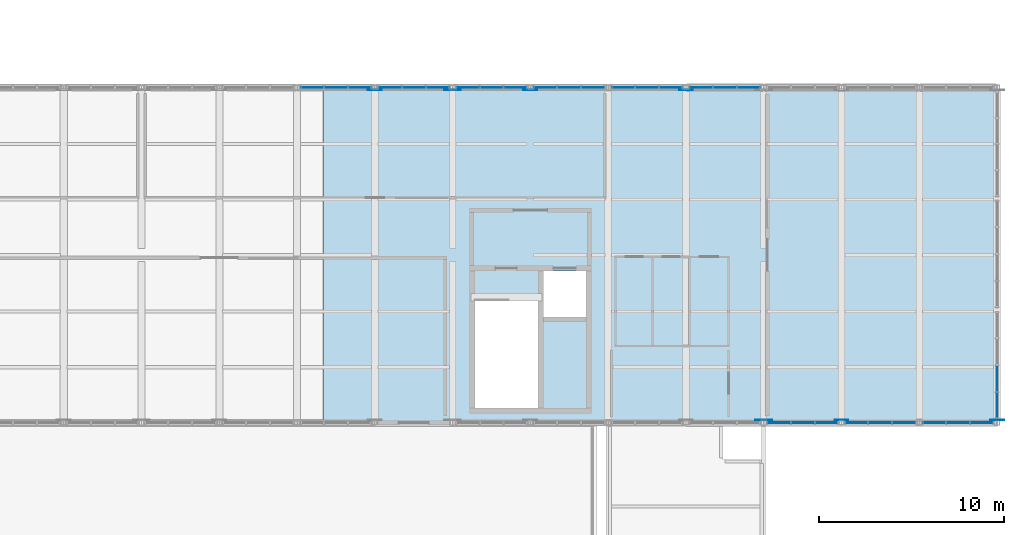
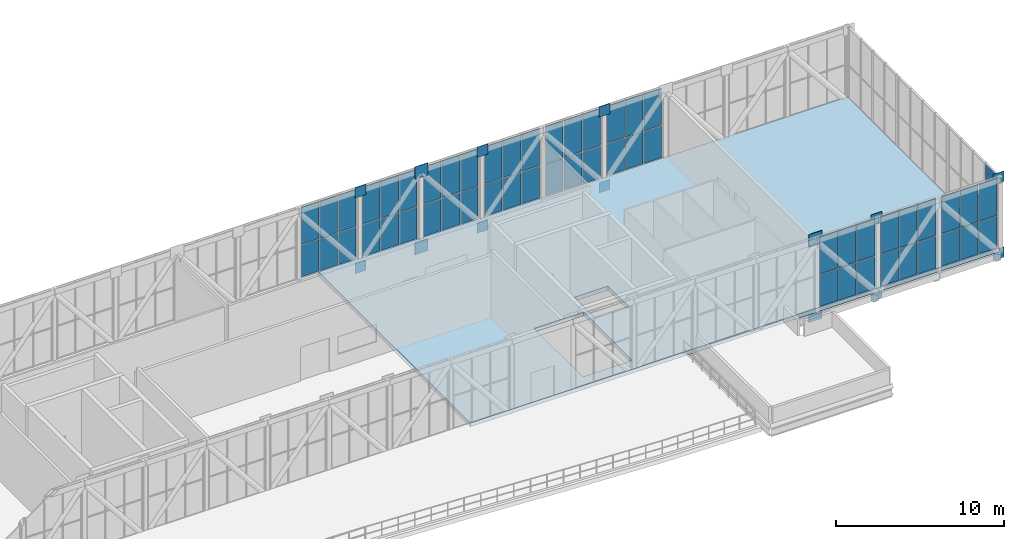
# One storey, part 50 of 58: 71 plates, 1 slab, 10 elements without a shape of their own.
"""IFC4 building model written with IfcOpenShell, lengths in metres."""

from ifc_helpers import new_model, si_unit, direction, frame, origin, origin_2d, place, context, subcontext, project, spatial, polyline, rectangle, outline, extrude, material, layer, layer_set, type_object, element, aggregate, save


model = new_model("IFC4")

# Units and contexts
model_context = context("Model", 3, precision=1e-05, world=origin(), true_north=direction((0.0, 1.0)))
body_context = subcontext(model_context, "Body", "Model", "MODEL_VIEW")
ifc_project = project(units=[si_unit("LENGTHUNIT", "METRE"), si_unit("AREAUNIT", "SQUARE_METRE"), si_unit("VOLUMEUNIT", "CUBIC_METRE"), si_unit("PLANEANGLEUNIT", "RADIAN"), si_unit("MASSUNIT", "GRAM", prefix="KILO")], contexts=[model_context])

# Site, building, storey
site_placement = place(None, origin())
site = spatial("IfcSite", under=ifc_project, at=site_placement, CompositionType="ELEMENT")
building_placement = place(site_placement, origin())
building = spatial("IfcBuilding", under=site, at=building_placement, Name="Khurvash Pelagic Aquarium", CompositionType="ELEMENT")
storey_placement = place(building_placement, frame((0.0, 0.0, 24.60009765625)))
storey = spatial("IfcBuildingStorey", under=building, at=storey_placement, Name="L05", CompositionType="ELEMENT", Elevation=24.60009765625)

# Curtain wall, plates
ifc_material_1 = material(Name="Anodised aluminium and low-E laminated glass", Category="aluminium")
curtain_wall_type_1 = type_object("IfcCurtainWallType", Name="CW-01", PredefinedType="USERDEFINED", material=ifc_material_1)
curtain_wall_1_placement = place(storey_placement, origin())
curtain_wall_1 = element("IfcCurtainWall", 1, at=curtain_wall_1_placement, inside=storey, type_object=curtain_wall_type_1, Name="L05 South Sky-Bar Unitised Curtain Wall CW-01 P24", ObjectType="UNITISED CURTAIN WALL", PredefinedType="USERDEFINED")
ifc_material_2 = material(Name="Low-E laminated double glazing", Category="glass")
ifc_layer_1 = layer(ifc_material_2, 0.035888671875)
ifc_layer_set_1 = layer_set([ifc_layer_1], Name="Low-E laminated double glazing")
plate_type_1 = type_object("IfcPlateType", Name="CG-01", PredefinedType="CURTAIN_PANEL", material=ifc_layer_set_1)
plate_1_placement = place(storey_placement, frame((110.021728515625, 11.64990234375, 0.059814453125), z_axis=(0.0, 0.0, 1.0), x_axis=(1.0, 0.0, 0.0)))
plate_1 = element("IfcPlate", 2, at=plate_1_placement, type_object=plate_type_1, Name="CW-01 panel 1.1", PredefinedType="CURTAIN_PANEL", context=body_context, shape_type="SweptSolid", body=[
    extrude(rectangle(XDim=1.203369140625, YDim=0.035888671875, at=origin_2d()), origin(), (0.0, 0.0, 1.0), 2.31005859375),
])
plate_2_placement = place(storey_placement, frame((110.021728515625, 11.64990234375, 2.429931640625), z_axis=(0.0, 0.0, 1.0), x_axis=(1.0, 0.0, 0.0)))
plate_2 = element("IfcPlate", 3, at=plate_2_placement, type_object=plate_type_1, Name="CW-01 panel 1.2", PredefinedType="CURTAIN_PANEL", context=body_context, shape_type="SweptSolid", body=[
    extrude(rectangle(XDim=1.203369140625, YDim=0.035888671875, at=origin_2d()), origin(), (0.0, 0.0, 1.0), 2.68994140625),
])
plate_3_placement = place(storey_placement, frame((111.300048828125, 11.64990234375, 0.059814453125), z_axis=(0.0, 0.0, 1.0), x_axis=(1.0, 0.0, 0.0)))
plate_3 = element("IfcPlate", 4, at=plate_3_placement, type_object=plate_type_1, Name="CW-01 panel 2.1", PredefinedType="CURTAIN_PANEL", context=body_context, shape_type="SweptSolid", body=[
    extrude(rectangle(XDim=1.2333984375, YDim=0.035888671875, at=origin_2d()), origin(), (0.0, 0.0, 1.0), 2.31005859375),
])
plate_4_placement = place(storey_placement, frame((111.300048828125, 11.64990234375, 2.429931640625), z_axis=(0.0, 0.0, 1.0), x_axis=(1.0, 0.0, 0.0)))
plate_4 = element("IfcPlate", 5, at=plate_4_placement, type_object=plate_type_1, Name="CW-01 panel 2.2", PredefinedType="CURTAIN_PANEL", context=body_context, shape_type="SweptSolid", body=[
    extrude(rectangle(XDim=1.2333984375, YDim=0.035888671875, at=origin_2d()), origin(), (0.0, 0.0, 1.0), 2.68994140625),
])
plate_5_placement = place(storey_placement, frame((112.578369140625, 11.64990234375, 0.059814453125), z_axis=(0.0, 0.0, 1.0), x_axis=(1.0, 0.0, 0.0)))
plate_5 = element("IfcPlate", 6, at=plate_5_placement, type_object=plate_type_1, Name="CW-01 panel 3.1", PredefinedType="CURTAIN_PANEL", context=body_context, shape_type="SweptSolid", body=[
    extrude(rectangle(XDim=1.203369140625, YDim=0.035888671875, at=origin_2d()), origin(), (0.0, 0.0, 1.0), 2.31005859375),
])
plate_6_placement = place(storey_placement, frame((112.578369140625, 11.64990234375, 2.429931640625), z_axis=(0.0, 0.0, 1.0), x_axis=(1.0, 0.0, 0.0)))
plate_6 = element("IfcPlate", 7, at=plate_6_placement, type_object=plate_type_1, Name="CW-01 panel 3.2", PredefinedType="CURTAIN_PANEL", context=body_context, shape_type="SweptSolid", body=[
    extrude(rectangle(XDim=1.203369140625, YDim=0.035888671875, at=origin_2d()), origin(), (0.0, 0.0, 1.0), 2.68994140625),
])
aggregate(curtain_wall_1, [plate_1, plate_2, plate_3, plate_4, plate_5, plate_6])

curtain_wall_2_placement = place(storey_placement, origin())
curtain_wall_2 = element("IfcCurtainWall", 8, at=curtain_wall_2_placement, inside=storey, type_object=curtain_wall_type_1, Name="L05 South Sky-Bar Unitised Curtain Wall CW-01 P25", ObjectType="UNITISED CURTAIN WALL", PredefinedType="USERDEFINED")
plate_7_placement = place(storey_placement, frame((114.2216796875, 11.64990234375, 0.059814453125), z_axis=(0.0, 0.0, 1.0), x_axis=(1.0, 0.0, 0.0)))
plate_7 = element("IfcPlate", 9, at=plate_7_placement, type_object=plate_type_1, Name="CW-01 panel 1.1", PredefinedType="CURTAIN_PANEL", context=body_context, shape_type="SweptSolid", body=[
    extrude(rectangle(XDim=1.203369140625, YDim=0.035888671875, at=origin_2d()), origin(), (0.0, 0.0, 1.0), 2.31005859375),
])
plate_8_placement = place(storey_placement, frame((114.2216796875, 11.64990234375, 2.429931640625), z_axis=(0.0, 0.0, 1.0), x_axis=(1.0, 0.0, 0.0)))
plate_8 = element("IfcPlate", 10, at=plate_8_placement, type_object=plate_type_1, Name="CW-01 panel 1.2", PredefinedType="CURTAIN_PANEL", context=body_context, shape_type="SweptSolid", body=[
    extrude(rectangle(XDim=1.203369140625, YDim=0.035888671875, at=origin_2d()), origin(), (0.0, 0.0, 1.0), 2.68994140625),
])
plate_9_placement = place(storey_placement, frame((115.5, 11.64990234375, 0.059814453125), z_axis=(0.0, 0.0, 1.0), x_axis=(1.0, 0.0, 0.0)))
plate_9 = element("IfcPlate", 11, at=plate_9_placement, type_object=plate_type_1, Name="CW-01 panel 2.1", PredefinedType="CURTAIN_PANEL", context=body_context, shape_type="SweptSolid", body=[
    extrude(rectangle(XDim=1.2333984375, YDim=0.035888671875, at=origin_2d()), origin(), (0.0, 0.0, 1.0), 2.31005859375),
])
plate_10_placement = place(storey_placement, frame((115.5, 11.64990234375, 2.429931640625), z_axis=(0.0, 0.0, 1.0), x_axis=(1.0, 0.0, 0.0)))
plate_10 = element("IfcPlate", 12, at=plate_10_placement, type_object=plate_type_1, Name="CW-01 panel 2.2", PredefinedType="CURTAIN_PANEL", context=body_context, shape_type="SweptSolid", body=[
    extrude(rectangle(XDim=1.2333984375, YDim=0.035888671875, at=origin_2d()), origin(), (0.0, 0.0, 1.0), 2.68994140625),
])
plate_11_placement = place(storey_placement, frame((116.7783203125, 11.64990234375, 0.059814453125), z_axis=(0.0, 0.0, 1.0), x_axis=(1.0, 0.0, 0.0)))
plate_11 = element("IfcPlate", 13, at=plate_11_placement, type_object=plate_type_1, Name="CW-01 panel 3.1", PredefinedType="CURTAIN_PANEL", context=body_context, shape_type="SweptSolid", body=[
    extrude(rectangle(XDim=1.203369140625, YDim=0.035888671875, at=origin_2d()), origin(), (0.0, 0.0, 1.0), 2.31005859375),
])
plate_12_placement = place(storey_placement, frame((116.7783203125, 11.64990234375, 2.429931640625), z_axis=(0.0, 0.0, 1.0), x_axis=(1.0, 0.0, 0.0)))
plate_12 = element("IfcPlate", 14, at=plate_12_placement, type_object=plate_type_1, Name="CW-01 panel 3.2", PredefinedType="CURTAIN_PANEL", context=body_context, shape_type="SweptSolid", body=[
    extrude(rectangle(XDim=1.203369140625, YDim=0.035888671875, at=origin_2d()), origin(), (0.0, 0.0, 1.0), 2.68994140625),
])
aggregate(curtain_wall_2, [plate_7, plate_8, plate_9, plate_10, plate_11, plate_12])

curtain_wall_3_placement = place(storey_placement, origin())
curtain_wall_3 = element("IfcCurtainWall", 15, at=curtain_wall_3_placement, inside=storey, type_object=curtain_wall_type_1, Name="L05 South Sky-Bar Unitised Curtain Wall CW-01 P26", ObjectType="UNITISED CURTAIN WALL", PredefinedType="USERDEFINED")
plate_13_placement = place(storey_placement, frame((118.421630859375, 11.64990234375, 0.059814453125), z_axis=(0.0, 0.0, 1.0), x_axis=(1.0, 0.0, 0.0)))
plate_13 = element("IfcPlate", 16, at=plate_13_placement, type_object=plate_type_1, Name="CW-01 panel 1.1", PredefinedType="CURTAIN_PANEL", context=body_context, shape_type="SweptSolid", body=[
    extrude(rectangle(XDim=1.203369140625, YDim=0.035888671875, at=origin_2d()), origin(), (0.0, 0.0, 1.0), 2.31005859375),
])
plate_14_placement = place(storey_placement, frame((118.421630859375, 11.64990234375, 2.429931640625), z_axis=(0.0, 0.0, 1.0), x_axis=(1.0, 0.0, 0.0)))
plate_14 = element("IfcPlate", 17, at=plate_14_placement, type_object=plate_type_1, Name="CW-01 panel 1.2", PredefinedType="CURTAIN_PANEL", context=body_context, shape_type="SweptSolid", body=[
    extrude(rectangle(XDim=1.203369140625, YDim=0.035888671875, at=origin_2d()), origin(), (0.0, 0.0, 1.0), 2.68994140625),
])
plate_15_placement = place(storey_placement, frame((119.699951171875, 11.64990234375, 0.059814453125), z_axis=(0.0, 0.0, 1.0), x_axis=(1.0, 0.0, 0.0)))
plate_15 = element("IfcPlate", 18, at=plate_15_placement, type_object=plate_type_1, Name="CW-01 panel 2.1", PredefinedType="CURTAIN_PANEL", context=body_context, shape_type="SweptSolid", body=[
    extrude(rectangle(XDim=1.2333984375, YDim=0.035888671875, at=origin_2d()), origin(), (0.0, 0.0, 1.0), 2.31005859375),
])
plate_16_placement = place(storey_placement, frame((119.699951171875, 11.64990234375, 2.429931640625), z_axis=(0.0, 0.0, 1.0), x_axis=(1.0, 0.0, 0.0)))
plate_16 = element("IfcPlate", 19, at=plate_16_placement, type_object=plate_type_1, Name="CW-01 panel 2.2", PredefinedType="CURTAIN_PANEL", context=body_context, shape_type="SweptSolid", body=[
    extrude(rectangle(XDim=1.2333984375, YDim=0.035888671875, at=origin_2d()), origin(), (0.0, 0.0, 1.0), 2.68994140625),
])
plate_17_placement = place(storey_placement, frame((120.978271484375, 11.64990234375, 0.059814453125), z_axis=(0.0, 0.0, 1.0), x_axis=(1.0, 0.0, 0.0)))
plate_17 = element("IfcPlate", 20, at=plate_17_placement, type_object=plate_type_1, Name="CW-01 panel 3.1", PredefinedType="CURTAIN_PANEL", context=body_context, shape_type="SweptSolid", body=[
    extrude(rectangle(XDim=1.203369140625, YDim=0.035888671875, at=origin_2d()), origin(), (0.0, 0.0, 1.0), 2.31005859375),
])
plate_18_placement = place(storey_placement, frame((120.978271484375, 11.64990234375, 2.429931640625), z_axis=(0.0, 0.0, 1.0), x_axis=(1.0, 0.0, 0.0)))
plate_18 = element("IfcPlate", 21, at=plate_18_placement, type_object=plate_type_1, Name="CW-01 panel 3.2", PredefinedType="CURTAIN_PANEL", context=body_context, shape_type="SweptSolid", body=[
    extrude(rectangle(XDim=1.203369140625, YDim=0.035888671875, at=origin_2d()), origin(), (0.0, 0.0, 1.0), 2.68994140625),
])
aggregate(curtain_wall_3, [plate_13, plate_14, plate_15, plate_16, plate_17, plate_18])

curtain_wall_4_placement = place(storey_placement, origin())
curtain_wall_4 = element("IfcCurtainWall", 22, at=curtain_wall_4_placement, inside=storey, type_object=curtain_wall_type_1, Name="L05 North Sky-Bar Unitised Curtain Wall CW-01 P18", ObjectType="UNITISED CURTAIN WALL", PredefinedType="USERDEFINED")
plate_19_placement = place(storey_placement, frame((84.82177734375, 29.75, 0.059814453125), z_axis=(0.0, 0.0, 1.0), x_axis=(1.0, 0.0, 0.0)))
plate_19 = element("IfcPlate", 23, at=plate_19_placement, type_object=plate_type_1, Name="CW-01 panel 1.1", PredefinedType="CURTAIN_PANEL", context=body_context, shape_type="SweptSolid", body=[
    extrude(rectangle(XDim=1.203369140625, YDim=0.035888671875, at=origin_2d()), origin(), (0.0, 0.0, 1.0), 2.31005859375),
])
plate_20_placement = place(storey_placement, frame((84.82177734375, 29.75, 2.429931640625), z_axis=(0.0, 0.0, 1.0), x_axis=(1.0, 0.0, 0.0)))
plate_20 = element("IfcPlate", 24, at=plate_20_placement, type_object=plate_type_1, Name="CW-01 panel 1.2", PredefinedType="CURTAIN_PANEL", context=body_context, shape_type="SweptSolid", body=[
    extrude(rectangle(XDim=1.203369140625, YDim=0.035888671875, at=origin_2d()), origin(), (0.0, 0.0, 1.0), 2.68994140625),
])
plate_21_placement = place(storey_placement, frame((86.10009765625, 29.75, 0.059814453125), z_axis=(0.0, 0.0, 1.0), x_axis=(1.0, 0.0, 0.0)))
plate_21 = element("IfcPlate", 25, at=plate_21_placement, type_object=plate_type_1, Name="CW-01 panel 2.1", PredefinedType="CURTAIN_PANEL", context=body_context, shape_type="SweptSolid", body=[
    extrude(rectangle(XDim=1.2333984375, YDim=0.035888671875, at=origin_2d()), origin(), (0.0, 0.0, 1.0), 2.31005859375),
])
plate_22_placement = place(storey_placement, frame((86.10009765625, 29.75, 2.429931640625), z_axis=(0.0, 0.0, 1.0), x_axis=(1.0, 0.0, 0.0)))
plate_22 = element("IfcPlate", 26, at=plate_22_placement, type_object=plate_type_1, Name="CW-01 panel 2.2", PredefinedType="CURTAIN_PANEL", context=body_context, shape_type="SweptSolid", body=[
    extrude(rectangle(XDim=1.2333984375, YDim=0.035888671875, at=origin_2d()), origin(), (0.0, 0.0, 1.0), 2.68994140625),
])
plate_23_placement = place(storey_placement, frame((87.37841796875, 29.75, 0.059814453125), z_axis=(0.0, 0.0, 1.0), x_axis=(1.0, 0.0, 0.0)))
plate_23 = element("IfcPlate", 27, at=plate_23_placement, type_object=plate_type_1, Name="CW-01 panel 3.1", PredefinedType="CURTAIN_PANEL", context=body_context, shape_type="SweptSolid", body=[
    extrude(rectangle(XDim=1.203369140625, YDim=0.035888671875, at=origin_2d()), origin(), (0.0, 0.0, 1.0), 2.31005859375),
])
plate_24_placement = place(storey_placement, frame((87.37841796875, 29.75, 2.429931640625), z_axis=(0.0, 0.0, 1.0), x_axis=(1.0, 0.0, 0.0)))
plate_24 = element("IfcPlate", 28, at=plate_24_placement, type_object=plate_type_1, Name="CW-01 panel 3.2", PredefinedType="CURTAIN_PANEL", context=body_context, shape_type="SweptSolid", body=[
    extrude(rectangle(XDim=1.203369140625, YDim=0.035888671875, at=origin_2d()), origin(), (0.0, 0.0, 1.0), 2.68994140625),
])
aggregate(curtain_wall_4, [plate_19, plate_20, plate_21, plate_22, plate_23, plate_24])

curtain_wall_5_placement = place(storey_placement, origin())
curtain_wall_5 = element("IfcCurtainWall", 29, at=curtain_wall_5_placement, inside=storey, type_object=curtain_wall_type_1, Name="L05 North Sky-Bar Unitised Curtain Wall CW-01 P19", ObjectType="UNITISED CURTAIN WALL", PredefinedType="USERDEFINED")
plate_25_placement = place(storey_placement, frame((89.021728515625, 29.75, 0.059814453125), z_axis=(0.0, 0.0, 1.0), x_axis=(1.0, 0.0, 0.0)))
plate_25 = element("IfcPlate", 30, at=plate_25_placement, type_object=plate_type_1, Name="CW-01 panel 1.1", PredefinedType="CURTAIN_PANEL", context=body_context, shape_type="SweptSolid", body=[
    extrude(rectangle(XDim=1.203369140625, YDim=0.035888671875, at=origin_2d()), origin(), (0.0, 0.0, 1.0), 2.31005859375),
])
plate_26_placement = place(storey_placement, frame((89.021728515625, 29.75, 2.429931640625), z_axis=(0.0, 0.0, 1.0), x_axis=(1.0, 0.0, 0.0)))
plate_26 = element("IfcPlate", 31, at=plate_26_placement, type_object=plate_type_1, Name="CW-01 panel 1.2", PredefinedType="CURTAIN_PANEL", context=body_context, shape_type="SweptSolid", body=[
    extrude(rectangle(XDim=1.203369140625, YDim=0.035888671875, at=origin_2d()), origin(), (0.0, 0.0, 1.0), 2.68994140625),
])
plate_27_placement = place(storey_placement, frame((90.300048828125, 29.75, 0.059814453125), z_axis=(0.0, 0.0, 1.0), x_axis=(1.0, 0.0, 0.0)))
plate_27 = element("IfcPlate", 32, at=plate_27_placement, type_object=plate_type_1, Name="CW-01 panel 2.1", PredefinedType="CURTAIN_PANEL", context=body_context, shape_type="SweptSolid", body=[
    extrude(rectangle(XDim=1.2333984375, YDim=0.035888671875, at=origin_2d()), origin(), (0.0, 0.0, 1.0), 2.31005859375),
])
plate_28_placement = place(storey_placement, frame((90.300048828125, 29.75, 2.429931640625), z_axis=(0.0, 0.0, 1.0), x_axis=(1.0, 0.0, 0.0)))
plate_28 = element("IfcPlate", 33, at=plate_28_placement, type_object=plate_type_1, Name="CW-01 panel 2.2", PredefinedType="CURTAIN_PANEL", context=body_context, shape_type="SweptSolid", body=[
    extrude(rectangle(XDim=1.2333984375, YDim=0.035888671875, at=origin_2d()), origin(), (0.0, 0.0, 1.0), 2.68994140625),
])
plate_29_placement = place(storey_placement, frame((91.578369140625, 29.75, 0.059814453125), z_axis=(0.0, 0.0, 1.0), x_axis=(1.0, 0.0, 0.0)))
plate_29 = element("IfcPlate", 34, at=plate_29_placement, type_object=plate_type_1, Name="CW-01 panel 3.1", PredefinedType="CURTAIN_PANEL", context=body_context, shape_type="SweptSolid", body=[
    extrude(rectangle(XDim=1.203369140625, YDim=0.035888671875, at=origin_2d()), origin(), (0.0, 0.0, 1.0), 2.31005859375),
])
plate_30_placement = place(storey_placement, frame((91.578369140625, 29.75, 2.429931640625), z_axis=(0.0, 0.0, 1.0), x_axis=(1.0, 0.0, 0.0)))
plate_30 = element("IfcPlate", 35, at=plate_30_placement, type_object=plate_type_1, Name="CW-01 panel 3.2", PredefinedType="CURTAIN_PANEL", context=body_context, shape_type="SweptSolid", body=[
    extrude(rectangle(XDim=1.203369140625, YDim=0.035888671875, at=origin_2d()), origin(), (0.0, 0.0, 1.0), 2.68994140625),
])
aggregate(curtain_wall_5, [plate_25, plate_26, plate_27, plate_28, plate_29, plate_30])

curtain_wall_6_placement = place(storey_placement, origin())
curtain_wall_6 = element("IfcCurtainWall", 36, at=curtain_wall_6_placement, inside=storey, type_object=curtain_wall_type_1, Name="L05 North Sky-Bar Unitised Curtain Wall CW-01 P20", ObjectType="UNITISED CURTAIN WALL", PredefinedType="USERDEFINED")
plate_31_placement = place(storey_placement, frame((93.2216796875, 29.75, 0.059814453125), z_axis=(0.0, 0.0, 1.0), x_axis=(1.0, 0.0, 0.0)))
plate_31 = element("IfcPlate", 37, at=plate_31_placement, type_object=plate_type_1, Name="CW-01 panel 1.1", PredefinedType="CURTAIN_PANEL", context=body_context, shape_type="SweptSolid", body=[
    extrude(rectangle(XDim=1.203369140625, YDim=0.035888671875, at=origin_2d()), origin(), (0.0, 0.0, 1.0), 2.31005859375),
])
plate_32_placement = place(storey_placement, frame((93.2216796875, 29.75, 2.429931640625), z_axis=(0.0, 0.0, 1.0), x_axis=(1.0, 0.0, 0.0)))
plate_32 = element("IfcPlate", 38, at=plate_32_placement, type_object=plate_type_1, Name="CW-01 panel 1.2", PredefinedType="CURTAIN_PANEL", context=body_context, shape_type="SweptSolid", body=[
    extrude(rectangle(XDim=1.203369140625, YDim=0.035888671875, at=origin_2d()), origin(), (0.0, 0.0, 1.0), 2.68994140625),
])
plate_33_placement = place(storey_placement, frame((94.5, 29.75, 0.059814453125), z_axis=(0.0, 0.0, 1.0), x_axis=(1.0, 0.0, 0.0)))
plate_33 = element("IfcPlate", 39, at=plate_33_placement, type_object=plate_type_1, Name="CW-01 panel 2.1", PredefinedType="CURTAIN_PANEL", context=body_context, shape_type="SweptSolid", body=[
    extrude(rectangle(XDim=1.2333984375, YDim=0.035888671875, at=origin_2d()), origin(), (0.0, 0.0, 1.0), 2.31005859375),
])
plate_34_placement = place(storey_placement, frame((94.5, 29.75, 2.429931640625), z_axis=(0.0, 0.0, 1.0), x_axis=(1.0, 0.0, 0.0)))
plate_34 = element("IfcPlate", 40, at=plate_34_placement, type_object=plate_type_1, Name="CW-01 panel 2.2", PredefinedType="CURTAIN_PANEL", context=body_context, shape_type="SweptSolid", body=[
    extrude(rectangle(XDim=1.2333984375, YDim=0.035888671875, at=origin_2d()), origin(), (0.0, 0.0, 1.0), 2.68994140625),
])
plate_35_placement = place(storey_placement, frame((95.7783203125, 29.75, 0.059814453125), z_axis=(0.0, 0.0, 1.0), x_axis=(1.0, 0.0, 0.0)))
plate_35 = element("IfcPlate", 41, at=plate_35_placement, type_object=plate_type_1, Name="CW-01 panel 3.1", PredefinedType="CURTAIN_PANEL", context=body_context, shape_type="SweptSolid", body=[
    extrude(rectangle(XDim=1.203369140625, YDim=0.035888671875, at=origin_2d()), origin(), (0.0, 0.0, 1.0), 2.31005859375),
])
plate_36_placement = place(storey_placement, frame((95.7783203125, 29.75, 2.429931640625), z_axis=(0.0, 0.0, 1.0), x_axis=(1.0, 0.0, 0.0)))
plate_36 = element("IfcPlate", 42, at=plate_36_placement, type_object=plate_type_1, Name="CW-01 panel 3.2", PredefinedType="CURTAIN_PANEL", context=body_context, shape_type="SweptSolid", body=[
    extrude(rectangle(XDim=1.203369140625, YDim=0.035888671875, at=origin_2d()), origin(), (0.0, 0.0, 1.0), 2.68994140625),
])
aggregate(curtain_wall_6, [plate_31, plate_32, plate_33, plate_34, plate_35, plate_36])

curtain_wall_7_placement = place(storey_placement, origin())
curtain_wall_7 = element("IfcCurtainWall", 43, at=curtain_wall_7_placement, inside=storey, type_object=curtain_wall_type_1, Name="L05 North Sky-Bar Unitised Curtain Wall CW-01 P21", ObjectType="UNITISED CURTAIN WALL", PredefinedType="USERDEFINED")
plate_37_placement = place(storey_placement, frame((97.421630859375, 29.75, 0.059814453125), z_axis=(0.0, 0.0, 1.0), x_axis=(1.0, 0.0, 0.0)))
plate_37 = element("IfcPlate", 44, at=plate_37_placement, type_object=plate_type_1, Name="CW-01 panel 1.1", PredefinedType="CURTAIN_PANEL", context=body_context, shape_type="SweptSolid", body=[
    extrude(rectangle(XDim=1.203369140625, YDim=0.035888671875, at=origin_2d()), origin(), (0.0, 0.0, 1.0), 2.31005859375),
])
plate_38_placement = place(storey_placement, frame((97.421630859375, 29.75, 2.429931640625), z_axis=(0.0, 0.0, 1.0), x_axis=(1.0, 0.0, 0.0)))
plate_38 = element("IfcPlate", 45, at=plate_38_placement, type_object=plate_type_1, Name="CW-01 panel 1.2", PredefinedType="CURTAIN_PANEL", context=body_context, shape_type="SweptSolid", body=[
    extrude(rectangle(XDim=1.203369140625, YDim=0.035888671875, at=origin_2d()), origin(), (0.0, 0.0, 1.0), 2.68994140625),
])
plate_39_placement = place(storey_placement, frame((98.699951171875, 29.75, 0.059814453125), z_axis=(0.0, 0.0, 1.0), x_axis=(1.0, 0.0, 0.0)))
plate_39 = element("IfcPlate", 46, at=plate_39_placement, type_object=plate_type_1, Name="CW-01 panel 2.1", PredefinedType="CURTAIN_PANEL", context=body_context, shape_type="SweptSolid", body=[
    extrude(rectangle(XDim=1.2333984375, YDim=0.035888671875, at=origin_2d()), origin(), (0.0, 0.0, 1.0), 2.31005859375),
])
plate_40_placement = place(storey_placement, frame((98.699951171875, 29.75, 2.429931640625), z_axis=(0.0, 0.0, 1.0), x_axis=(1.0, 0.0, 0.0)))
plate_40 = element("IfcPlate", 47, at=plate_40_placement, type_object=plate_type_1, Name="CW-01 panel 2.2", PredefinedType="CURTAIN_PANEL", context=body_context, shape_type="SweptSolid", body=[
    extrude(rectangle(XDim=1.2333984375, YDim=0.035888671875, at=origin_2d()), origin(), (0.0, 0.0, 1.0), 2.68994140625),
])
plate_41_placement = place(storey_placement, frame((99.978271484375, 29.75, 0.059814453125), z_axis=(0.0, 0.0, 1.0), x_axis=(1.0, 0.0, 0.0)))
plate_41 = element("IfcPlate", 48, at=plate_41_placement, type_object=plate_type_1, Name="CW-01 panel 3.1", PredefinedType="CURTAIN_PANEL", context=body_context, shape_type="SweptSolid", body=[
    extrude(rectangle(XDim=1.203369140625, YDim=0.035888671875, at=origin_2d()), origin(), (0.0, 0.0, 1.0), 2.31005859375),
])
plate_42_placement = place(storey_placement, frame((99.978271484375, 29.75, 2.429931640625), z_axis=(0.0, 0.0, 1.0), x_axis=(1.0, 0.0, 0.0)))
plate_42 = element("IfcPlate", 49, at=plate_42_placement, type_object=plate_type_1, Name="CW-01 panel 3.2", PredefinedType="CURTAIN_PANEL", context=body_context, shape_type="SweptSolid", body=[
    extrude(rectangle(XDim=1.203369140625, YDim=0.035888671875, at=origin_2d()), origin(), (0.0, 0.0, 1.0), 2.68994140625),
])
aggregate(curtain_wall_7, [plate_37, plate_38, plate_39, plate_40, plate_41, plate_42])

curtain_wall_8_placement = place(storey_placement, origin())
curtain_wall_8 = element("IfcCurtainWall", 50, at=curtain_wall_8_placement, inside=storey, type_object=curtain_wall_type_1, Name="L05 North Sky-Bar Unitised Curtain Wall CW-01 P22", ObjectType="UNITISED CURTAIN WALL", PredefinedType="USERDEFINED")
plate_43_placement = place(storey_placement, frame((101.62158203125, 29.75, 0.059814453125), z_axis=(0.0, 0.0, 1.0), x_axis=(1.0, 0.0, 0.0)))
plate_43 = element("IfcPlate", 51, at=plate_43_placement, type_object=plate_type_1, Name="CW-01 panel 1.1", PredefinedType="CURTAIN_PANEL", context=body_context, shape_type="SweptSolid", body=[
    extrude(rectangle(XDim=1.203369140625, YDim=0.035888671875, at=origin_2d()), origin(), (0.0, 0.0, 1.0), 2.31005859375),
])
plate_44_placement = place(storey_placement, frame((101.62158203125, 29.75, 2.429931640625), z_axis=(0.0, 0.0, 1.0), x_axis=(1.0, 0.0, 0.0)))
plate_44 = element("IfcPlate", 52, at=plate_44_placement, type_object=plate_type_1, Name="CW-01 panel 1.2", PredefinedType="CURTAIN_PANEL", context=body_context, shape_type="SweptSolid", body=[
    extrude(rectangle(XDim=1.203369140625, YDim=0.035888671875, at=origin_2d()), origin(), (0.0, 0.0, 1.0), 2.68994140625),
])
plate_45_placement = place(storey_placement, frame((102.89990234375, 29.75, 0.059814453125), z_axis=(0.0, 0.0, 1.0), x_axis=(1.0, 0.0, 0.0)))
plate_45 = element("IfcPlate", 53, at=plate_45_placement, type_object=plate_type_1, Name="CW-01 panel 2.1", PredefinedType="CURTAIN_PANEL", context=body_context, shape_type="SweptSolid", body=[
    extrude(rectangle(XDim=1.2333984375, YDim=0.035888671875, at=origin_2d()), origin(), (0.0, 0.0, 1.0), 2.31005859375),
])
plate_46_placement = place(storey_placement, frame((102.89990234375, 29.75, 2.429931640625), z_axis=(0.0, 0.0, 1.0), x_axis=(1.0, 0.0, 0.0)))
plate_46 = element("IfcPlate", 54, at=plate_46_placement, type_object=plate_type_1, Name="CW-01 panel 2.2", PredefinedType="CURTAIN_PANEL", context=body_context, shape_type="SweptSolid", body=[
    extrude(rectangle(XDim=1.2333984375, YDim=0.035888671875, at=origin_2d()), origin(), (0.0, 0.0, 1.0), 2.68994140625),
])
plate_47_placement = place(storey_placement, frame((104.17822265625, 29.75, 0.059814453125), z_axis=(0.0, 0.0, 1.0), x_axis=(1.0, 0.0, 0.0)))
plate_47 = element("IfcPlate", 55, at=plate_47_placement, type_object=plate_type_1, Name="CW-01 panel 3.1", PredefinedType="CURTAIN_PANEL", context=body_context, shape_type="SweptSolid", body=[
    extrude(rectangle(XDim=1.203369140625, YDim=0.035888671875, at=origin_2d()), origin(), (0.0, 0.0, 1.0), 2.31005859375),
])
plate_48_placement = place(storey_placement, frame((104.17822265625, 29.75, 2.429931640625), z_axis=(0.0, 0.0, 1.0), x_axis=(1.0, 0.0, 0.0)))
plate_48 = element("IfcPlate", 56, at=plate_48_placement, type_object=plate_type_1, Name="CW-01 panel 3.2", PredefinedType="CURTAIN_PANEL", context=body_context, shape_type="SweptSolid", body=[
    extrude(rectangle(XDim=1.203369140625, YDim=0.035888671875, at=origin_2d()), origin(), (0.0, 0.0, 1.0), 2.68994140625),
])
aggregate(curtain_wall_8, [plate_43, plate_44, plate_45, plate_46, plate_47, plate_48])

curtain_wall_9_placement = place(storey_placement, origin())
curtain_wall_9 = element("IfcCurtainWall", 57, at=curtain_wall_9_placement, inside=storey, type_object=curtain_wall_type_1, Name="L05 North Sky-Bar Unitised Curtain Wall CW-01 P23", ObjectType="UNITISED CURTAIN WALL", PredefinedType="USERDEFINED")
plate_49_placement = place(storey_placement, frame((105.82177734375, 29.75, 0.059814453125), z_axis=(0.0, 0.0, 1.0), x_axis=(1.0, 0.0, 0.0)))
plate_49 = element("IfcPlate", 58, at=plate_49_placement, type_object=plate_type_1, Name="CW-01 panel 1.1", PredefinedType="CURTAIN_PANEL", context=body_context, shape_type="SweptSolid", body=[
    extrude(rectangle(XDim=1.203369140625, YDim=0.035888671875, at=origin_2d()), origin(), (0.0, 0.0, 1.0), 2.31005859375),
])
plate_50_placement = place(storey_placement, frame((105.82177734375, 29.75, 2.429931640625), z_axis=(0.0, 0.0, 1.0), x_axis=(1.0, 0.0, 0.0)))
plate_50 = element("IfcPlate", 59, at=plate_50_placement, type_object=plate_type_1, Name="CW-01 panel 1.2", PredefinedType="CURTAIN_PANEL", context=body_context, shape_type="SweptSolid", body=[
    extrude(rectangle(XDim=1.203369140625, YDim=0.035888671875, at=origin_2d()), origin(), (0.0, 0.0, 1.0), 2.68994140625),
])
plate_51_placement = place(storey_placement, frame((107.10009765625, 29.75, 0.059814453125), z_axis=(0.0, 0.0, 1.0), x_axis=(1.0, 0.0, 0.0)))
plate_51 = element("IfcPlate", 60, at=plate_51_placement, type_object=plate_type_1, Name="CW-01 panel 2.1", PredefinedType="CURTAIN_PANEL", context=body_context, shape_type="SweptSolid", body=[
    extrude(rectangle(XDim=1.2333984375, YDim=0.035888671875, at=origin_2d()), origin(), (0.0, 0.0, 1.0), 2.31005859375),
])
plate_52_placement = place(storey_placement, frame((107.10009765625, 29.75, 2.429931640625), z_axis=(0.0, 0.0, 1.0), x_axis=(1.0, 0.0, 0.0)))
plate_52 = element("IfcPlate", 61, at=plate_52_placement, type_object=plate_type_1, Name="CW-01 panel 2.2", PredefinedType="CURTAIN_PANEL", context=body_context, shape_type="SweptSolid", body=[
    extrude(rectangle(XDim=1.2333984375, YDim=0.035888671875, at=origin_2d()), origin(), (0.0, 0.0, 1.0), 2.68994140625),
])
plate_53_placement = place(storey_placement, frame((108.37841796875, 29.75, 0.059814453125), z_axis=(0.0, 0.0, 1.0), x_axis=(1.0, 0.0, 0.0)))
plate_53 = element("IfcPlate", 62, at=plate_53_placement, type_object=plate_type_1, Name="CW-01 panel 3.1", PredefinedType="CURTAIN_PANEL", context=body_context, shape_type="SweptSolid", body=[
    extrude(rectangle(XDim=1.203369140625, YDim=0.035888671875, at=origin_2d()), origin(), (0.0, 0.0, 1.0), 2.31005859375),
])
plate_54_placement = place(storey_placement, frame((108.37841796875, 29.75, 2.429931640625), z_axis=(0.0, 0.0, 1.0), x_axis=(1.0, 0.0, 0.0)))
plate_54 = element("IfcPlate", 63, at=plate_54_placement, type_object=plate_type_1, Name="CW-01 panel 3.2", PredefinedType="CURTAIN_PANEL", context=body_context, shape_type="SweptSolid", body=[
    extrude(rectangle(XDim=1.203369140625, YDim=0.035888671875, at=origin_2d()), origin(), (0.0, 0.0, 1.0), 2.68994140625),
])
aggregate(curtain_wall_9, [plate_49, plate_50, plate_51, plate_52, plate_53, plate_54])

curtain_wall_type_2 = type_object("IfcCurtainWallType", Name="CW-04", PredefinedType="USERDEFINED", material=ifc_material_1)
curtain_wall_10_placement = place(storey_placement, origin())
curtain_wall_10 = element("IfcCurtainWall", 64, at=curtain_wall_10_placement, inside=storey, type_object=curtain_wall_type_2, Name="L05 East Cantilever Overlook Curtain Wall CW-04", ObjectType="UNITISED CURTAIN WALL", PredefinedType="USERDEFINED")
ifc_layer_2 = layer(ifc_material_2, 0.0400390625)
ifc_layer_set_2 = layer_set([ifc_layer_2], Name="Low-E laminated double glazing")
plate_type_2 = type_object("IfcPlateType", Name="CG-04", PredefinedType="CURTAIN_PANEL", material=ifc_layer_set_2)
plate_55_placement = place(storey_placement, frame((121.800048828125, 12.590087890625, 0.059814453125), z_axis=(0.0, 0.0, 1.0), x_axis=(0.0, 1.0, 0.0)))
plate_55 = element("IfcPlate", 65, at=plate_55_placement, type_object=plate_type_2, Name="CW-04 panel 1.1", PredefinedType="CURTAIN_PANEL", context=body_context, shape_type="SweptSolid", body=[
    extrude(rectangle(XDim=1.360107421875, YDim=0.0400390625, at=origin_2d()), origin(), (0.0, 0.0, 1.0), 2.31005859375),
])
plate_56_placement = place(storey_placement, frame((121.800048828125, 12.590087890625, 2.429931640625), z_axis=(0.0, 0.0, 1.0), x_axis=(0.0, 1.0, 0.0)))
plate_56 = element("IfcPlate", 66, at=plate_56_placement, type_object=plate_type_2, Name="CW-04 panel 1.2", PredefinedType="CURTAIN_PANEL", context=body_context, shape_type="SweptSolid", body=[
    extrude(rectangle(XDim=1.360107421875, YDim=0.0400390625, at=origin_2d()), origin(), (0.0, 0.0, 1.0), 2.68994140625),
])
plate_57_placement = place(storey_placement, frame((121.800048828125, 14.02490234375, 0.059814453125), z_axis=(0.0, 0.0, 1.0), x_axis=(0.0, 1.0, 0.0)))
plate_57 = element("IfcPlate", 67, at=plate_57_placement, type_object=plate_type_2, Name="CW-04 panel 2.1", PredefinedType="CURTAIN_PANEL", context=body_context, shape_type="SweptSolid", body=[
    extrude(rectangle(XDim=1.389892578125, YDim=0.0400390625, at=origin_2d()), origin(), (0.0, 0.0, 1.0), 2.31005859375),
])
aggregate(curtain_wall_10, [plate_55, plate_56, plate_57])

# Slab
ifc_material_3 = material(Name="Concrete C40/50", Category="concrete")
ifc_layer_3 = layer(ifc_material_3, 0.300048828125)
ifc_layer_set_3 = layer_set([ifc_layer_3], Name="Concrete C40/50")
slab_type = type_object("IfcSlabType", Name="FS-300", PredefinedType="FLOOR", material=ifc_layer_set_3)
slab_placement = place(storey_placement, frame((0.0, 0.0, -0.300048828125)))
element("IfcSlab", 68, at=slab_placement, inside=storey, type_object=slab_type, Name="L05 Structural Floor Slab FS-300 V2_BAR.3", PredefinedType="FLOOR", context=body_context, shape_type="SweptSolid", body=[
    extrude(outline(polyline([(121.800048828125, 11.64990234375), (121.800048828125, 29.75), (85.39990234375, 29.75), (85.39990234375, 11.64990234375), (121.800048828125, 11.64990234375)]), holes=[polyline([(93.60009765625, 12.449951171875), (93.60009765625, 18.25), (97.0, 18.25), (97.0, 12.449951171875), (93.60009765625, 12.449951171875)]), polyline([(99.60009765625, 17.35009765625), (97.300048828125, 17.35009765625), (97.300048828125, 19.85009765625), (99.60009765625, 19.85009765625), (99.60009765625, 17.35009765625)])]), origin(), (0.0, 0.0, 1.0), 0.300048828125),
])

# Plates
ifc_material_4 = material(Name="Steel S355J2", Category="steel")
ifc_layer_4 = layer(ifc_material_4, 0.028076171875)
ifc_layer_set_4 = layer_set([ifc_layer_4], Name="Steel S355J2")
plate_type_3 = type_object("IfcPlateType", Name="ND-01", PredefinedType="USERDEFINED", material=ifc_layer_set_4)
for number, where, z_axis, x_axis, name in (
    (69, (109.199951171875, 11.7900390625, -0.97509765625), (0.0, 0.0, 1.0), (1.0, 0.0, 0.0), "L05 South Truss Bot Gusset Plate ND-01 N24"),
    (70, (109.199951171875, 11.7900390625, 4.530029296875), (0.0, 0.0, 1.0), (1.0, 0.0, 0.0), "L05 South Truss Top Gusset Plate ND-01 N24"),
    (71, (92.39990234375, 29.610107421875, -0.97509765625), (0.0, 0.0, 1.0), (1.0, 0.0, 0.0), "L05 North Truss Bot Gusset Plate ND-01 N20"),
    (72, (92.39990234375, 29.610107421875, 4.530029296875), (0.0, 0.0, 1.0), (1.0, 0.0, 0.0), "L05 North Truss Top Gusset Plate ND-01 N20"),
):
    element("IfcPlate", number, at=place(storey_placement, frame(where, z_axis=z_axis, x_axis=x_axis)), inside=storey, type_object=plate_type_3, Name=name, ObjectType="GUSSET PLATE", PredefinedType="USERDEFINED", context=body_context, shape_type="SweptSolid", body=[
        extrude(rectangle(XDim=0.89990234375, YDim=0.028076171875, at=origin_2d()), origin(), (0.0, 0.0, 1.0), 0.89990234375),
    ])
ifc_layer_5 = layer(ifc_material_4, 0.02392578125)
ifc_layer_set_5 = layer_set([ifc_layer_5], Name="Steel S355J2")
plate_type_4 = type_object("IfcPlateType", Name="ND-02", PredefinedType="USERDEFINED", material=ifc_layer_set_5)
for number, where, z_axis, x_axis, name in (
    (73, (113.39990234375, 11.7900390625, -0.900146484375), (0.0, 0.0, 1.0), (1.0, 0.0, 0.0), "L05 South Truss Bot Gusset Plate ND-02 N25"),
    (74, (113.39990234375, 11.7900390625, 4.60498046875), (0.0, 0.0, 1.0), (1.0, 0.0, 0.0), "L05 South Truss Top Gusset Plate ND-02 N25"),
    (75, (121.800048828125, 11.7900390625, -0.900146484375), (0.0, 0.0, 1.0), (1.0, 0.0, 0.0), "L05 South Truss Bot Gusset Plate ND-02 N27"),
    (76, (121.800048828125, 11.7900390625, 4.60498046875), (0.0, 0.0, 1.0), (1.0, 0.0, 0.0), "L05 South Truss Top Gusset Plate ND-02 N27"),
    (77, (88.199951171875, 29.610107421875, -0.900146484375), (0.0, 0.0, 1.0), (1.0, 0.0, 0.0), "L05 North Truss Bot Gusset Plate ND-02 N19"),
    (78, (88.199951171875, 29.610107421875, 4.60498046875), (0.0, 0.0, 1.0), (1.0, 0.0, 0.0), "L05 North Truss Top Gusset Plate ND-02 N19"),
    (79, (96.60009765625, 29.610107421875, -0.900146484375), (0.0, 0.0, 1.0), (1.0, 0.0, 0.0), "L05 North Truss Bot Gusset Plate ND-02 N21"),
    (80, (96.60009765625, 29.610107421875, 4.60498046875), (0.0, 0.0, 1.0), (1.0, 0.0, 0.0), "L05 North Truss Top Gusset Plate ND-02 N21"),
    (81, (105.0, 29.610107421875, -0.900146484375), (0.0, 0.0, 1.0), (1.0, 0.0, 0.0), "L05 North Truss Bot Gusset Plate ND-02 N23"),
    (82, (105.0, 29.610107421875, 4.60498046875), (0.0, 0.0, 1.0), (1.0, 0.0, 0.0), "L05 North Truss Top Gusset Plate ND-02 N23"),
):
    element("IfcPlate", number, at=place(storey_placement, frame(where, z_axis=z_axis, x_axis=x_axis)), inside=storey, type_object=plate_type_4, Name=name, ObjectType="GUSSET PLATE", PredefinedType="USERDEFINED", context=body_context, shape_type="SweptSolid", body=[
        extrude(rectangle(XDim=0.75, YDim=0.02392578125, at=origin_2d()), origin(), (0.0, 0.0, 1.0), 0.75),
    ])

save(model, "model.ifc")
